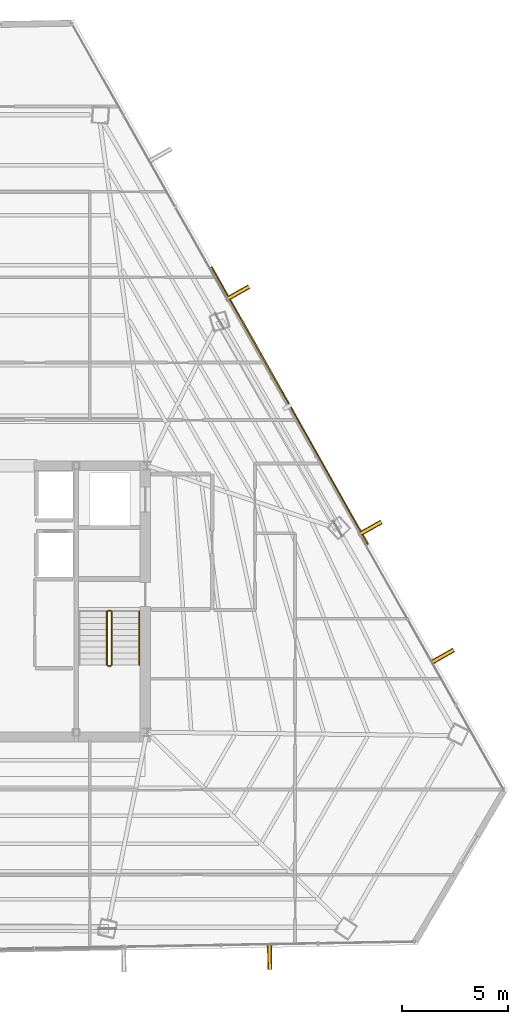
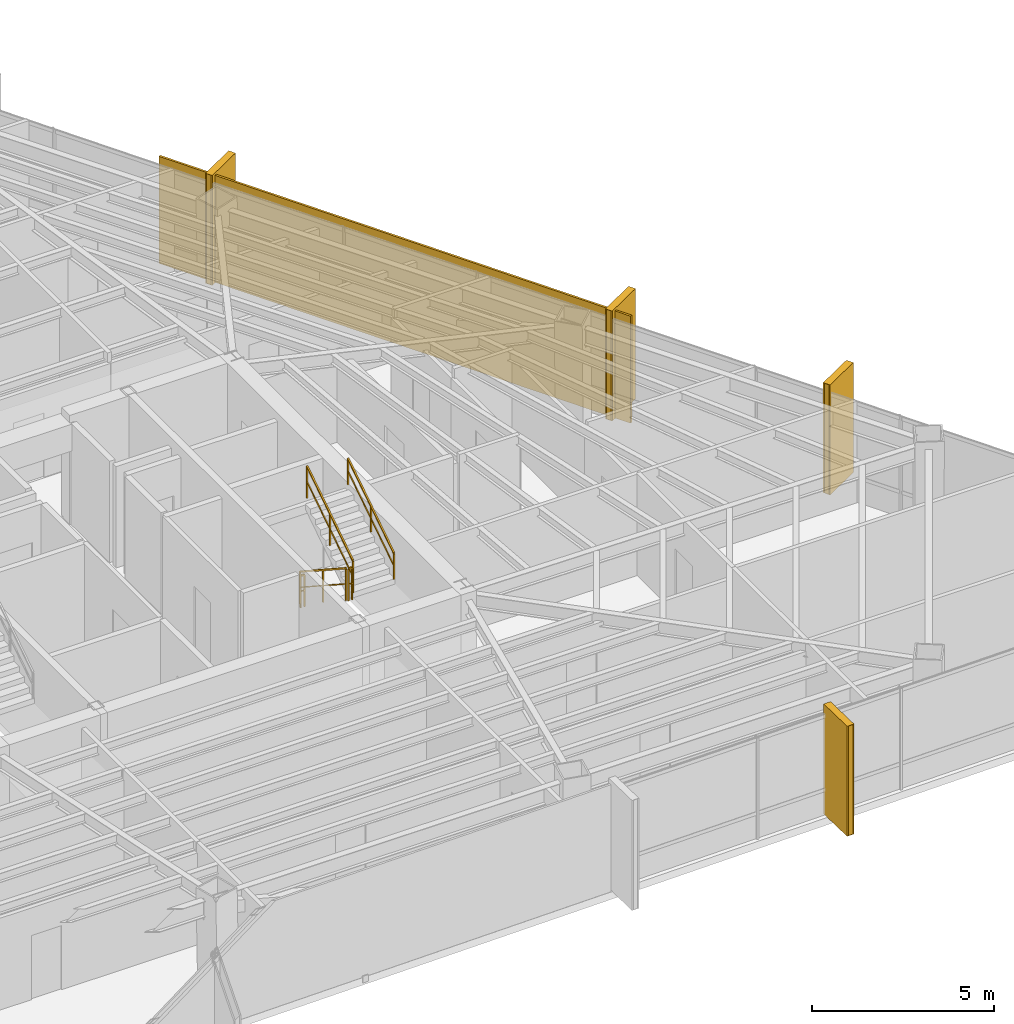
# One storey, part 41 of 42: 5 railings, 5 shading devices, 4 coverings.
"""IFC4 building model written with IfcOpenShell, lengths in metres."""

from ifc_helpers import new_model, si_unit, direction, frame, origin, origin_2d, place, context, subcontext, project, spatial, rectangle, extrude, source, transform, mapped, material, layer, layer_set, type_object, type_shapes, element, save


model = new_model("IFC4")

# Units and contexts
model_context = context("Model", 3, precision=1e-05, world=origin(), true_north=direction((0.0, 1.0)))
body_context = subcontext(model_context, "Body", "Model", "MODEL_VIEW")
ifc_project = project(units=[si_unit("LENGTHUNIT", "METRE"), si_unit("AREAUNIT", "SQUARE_METRE"), si_unit("VOLUMEUNIT", "CUBIC_METRE"), si_unit("PLANEANGLEUNIT", "RADIAN"), si_unit("MASSUNIT", "GRAM", prefix="KILO")], contexts=[model_context])

# Site, building, storey
site_placement = place(None, origin())
site = spatial("IfcSite", under=ifc_project, at=site_placement, CompositionType="ELEMENT")
building_placement = place(site_placement, origin())
building = spatial("IfcBuilding", under=site, at=building_placement, Name="Caelisora Broadcast Tower", CompositionType="ELEMENT")
storey_placement = place(building_placement, frame((0.0, 0.0, 195.0)))
storey = spatial("IfcBuildingStorey", under=building, at=storey_placement, Name="L51", CompositionType="ELEMENT", Elevation=195.0)

# Railings
ifc_material_1 = material(Name="Galvanised Steel Safety Guardrail", Category="steel")
ifc_layer_1 = layer(ifc_material_1, 0.048095703125, Name="Galvanised Steel Safety Guardrail")
ifc_layer_set_1 = layer_set([ifc_layer_1], Name="Galvanised Steel Safety Guardrail")
railing_type_1 = type_object("IfcRailingType", Name="GR-1", PredefinedType="GUARDRAIL", material=ifc_layer_set_1)
railing_1_placement = place(storey_placement, frame((43.610107421875, 23.10009765625, 0.1826171875)))
element("IfcRailing", 1, at=railing_1_placement, inside=storey, type_object=railing_type_1, Name="L51 ST-2 stair guard 1", PredefinedType="GUARDRAIL", context=body_context, shape_type="SweptSolid", body=[
    extrude(rectangle(XDim=0.048095703125, YDim=0.048095703125, at=origin_2d()), frame((0.0, 0.0, 1.076171875), z_axis=(0.0, -0.837786554691, 0.545997883492), x_axis=(1.0, 0.0, 0.0)), (0.0, 0.0, 1.0), 3.008056640625),
    extrude(rectangle(XDim=0.03125, YDim=0.03125, at=origin_2d()), frame((0.0, 0.0, 0.550048828125), z_axis=(0.0, -0.837786554691, 0.545997883492), x_axis=(1.0, 0.0, 0.0)), (0.0, 0.0, 1.0), 3.008056640625),
    extrude(rectangle(XDim=0.0419921875, YDim=0.0419921875, at=origin_2d()), origin(), (0.0, 0.0, 1.0), 1.052001953125),
    extrude(rectangle(XDim=0.0419921875, YDim=0.0419921875, at=origin_2d()), frame((0.0, -1.260009765625, 0.8212890625)), (0.0, 0.0, 1.0), 1.052001953125),
    extrude(rectangle(XDim=0.0419921875, YDim=0.0419921875, at=origin_2d()), frame((0.0, -2.52001953125, 1.642333984375)), (0.0, 0.0, 1.0), 1.052001953125),
])
railing_2_placement = place(storey_placement, frame((43.659912109375, 20.530029296875, 1.824951171875)))
element("IfcRailing", 2, at=railing_2_placement, inside=storey, type_object=railing_type_1, Name="L51 ST-2 stair guard 2", PredefinedType="GUARDRAIL", context=body_context, shape_type="SweptSolid", body=[
    extrude(rectangle(XDim=0.048095703125, YDim=0.048095703125, at=origin_2d()), frame((0.0, 0.0, 1.076171875), z_axis=(1.0, 0.0, 0.0), x_axis=(0.0, 1.0, 0.0)), (0.0, 0.0, 1.0), 0.1201171875),
    extrude(rectangle(XDim=0.03125, YDim=0.03125, at=origin_2d()), frame((0.0, 0.0, 0.550048828125), z_axis=(1.0, 0.0, 0.0), x_axis=(0.0, 1.0, 0.0)), (0.0, 0.0, 1.0), 0.1201171875),
    extrude(rectangle(XDim=0.0419921875, YDim=0.0419921875, at=origin_2d()), origin(), (0.0, 0.0, 1.0), 1.052001953125),
    extrude(rectangle(XDim=0.0419921875, YDim=0.0419921875, at=origin_2d()), frame((0.1201171875, 0.0, 0.0)), (0.0, 0.0, 1.0), 1.052001953125),
])
railing_3_placement = place(storey_placement, frame((43.830078125, 20.580078125, 2.007568359375)))
element("IfcRailing", 3, at=railing_3_placement, inside=storey, type_object=railing_type_1, Name="L51 ST-2 stair guard 3", PredefinedType="GUARDRAIL", context=body_context, shape_type="SweptSolid", body=[
    extrude(rectangle(XDim=0.048095703125, YDim=0.048095703125, at=origin_2d()), frame((0.0, 0.0, 1.076171875), z_axis=(0.0, 0.837786554691, 0.545997883492), x_axis=(-1.0, 0.0, 0.0)), (0.0, 0.0, 1.0), 3.008056640625),
    extrude(rectangle(XDim=0.03125, YDim=0.03125, at=origin_2d()), frame((0.0, 0.0, 0.550048828125), z_axis=(0.0, 0.837786554691, 0.545997883492), x_axis=(-1.0, 0.0, 0.0)), (0.0, 0.0, 1.0), 3.008056640625),
    extrude(rectangle(XDim=0.0419921875, YDim=0.0419921875, at=origin_2d()), origin(), (0.0, 0.0, 1.0), 1.052001953125),
    extrude(rectangle(XDim=0.0419921875, YDim=0.0419921875, at=origin_2d()), frame((0.0, 1.260009765625, 0.8212890625)), (0.0, 0.0, 1.0), 1.052001953125),
    extrude(rectangle(XDim=0.0419921875, YDim=0.0419921875, at=origin_2d()), frame((0.0, 2.52001953125, 1.642333984375)), (0.0, 0.0, 1.0), 1.052001953125),
])
railing_4_placement = place(storey_placement, frame((43.659912109375, 23.14990234375, 0.0)))
element("IfcRailing", 4, at=railing_4_placement, inside=storey, type_object=railing_type_1, Name="L51 ST-2 stair guard 4", PredefinedType="GUARDRAIL", context=body_context, shape_type="SweptSolid", body=[
    extrude(rectangle(XDim=0.048095703125, YDim=0.048095703125, at=origin_2d()), frame((0.0, 0.0, 1.076171875), z_axis=(1.0, 0.0, 0.0), x_axis=(0.0, 1.0, 0.0)), (0.0, 0.0, 1.0), 0.1201171875),
    extrude(rectangle(XDim=0.03125, YDim=0.03125, at=origin_2d()), frame((0.0, 0.0, 0.550048828125), z_axis=(1.0, 0.0, 0.0), x_axis=(0.0, 1.0, 0.0)), (0.0, 0.0, 1.0), 0.1201171875),
    extrude(rectangle(XDim=0.0419921875, YDim=0.0419921875, at=origin_2d()), origin(), (0.0, 0.0, 1.0), 1.052001953125),
    extrude(rectangle(XDim=0.0419921875, YDim=0.0419921875, at=origin_2d()), frame((0.1201171875, 0.0, 0.0)), (0.0, 0.0, 1.0), 1.052001953125),
])
ifc_material_2 = material(Name="Stainless Steel Grade 316 Tubular Handrail", Category="steel")
ifc_layer_2 = layer(ifc_material_2, 0.048095703125, Name="Stainless Steel Grade 316 Tubular Handrail")
ifc_layer_set_2 = layer_set([ifc_layer_2], Name="Stainless Steel Grade 316 Tubular Handrail")
railing_type_2 = type_object("IfcRailingType", Name="HR-1", PredefinedType="HANDRAIL", material=ifc_layer_set_2)
railing_5_placement = place(storey_placement, frame((45.1298828125, 20.580078125, 2.007568359375)))
element("IfcRailing", 5, at=railing_5_placement, inside=storey, type_object=railing_type_2, Name="L51 ST-2 stair handrail 2", PredefinedType="HANDRAIL", context=body_context, shape_type="SweptSolid", body=[
    extrude(rectangle(XDim=0.048095703125, YDim=0.048095703125, at=origin_2d()), frame((0.0, 0.0, 0.8759765625), z_axis=(0.0, 0.837786554691, 0.545997883492), x_axis=(-1.0, 0.0, 0.0)), (0.0, 0.0, 1.0), 3.008056640625),
    extrude(rectangle(XDim=0.03125, YDim=0.03125, at=origin_2d()), frame((0.0, 0.0, 0.449951171875), z_axis=(0.0, 0.837786554691, 0.545997883492), x_axis=(-1.0, 0.0, 0.0)), (0.0, 0.0, 1.0), 3.008056640625),
    extrude(rectangle(XDim=0.0419921875, YDim=0.0419921875, at=origin_2d()), origin(), (0.0, 0.0, 1.0), 0.851806640625),
    extrude(rectangle(XDim=0.0419921875, YDim=0.0419921875, at=origin_2d()), frame((0.0, 1.260009765625, 0.8212890625)), (0.0, 0.0, 1.0), 0.851806640625),
    extrude(rectangle(XDim=0.0419921875, YDim=0.0419921875, at=origin_2d()), frame((0.0, 2.52001953125, 1.642333984375)), (0.0, 0.0, 1.0), 0.851806640625),
])

# Coverings
ifc_material_3 = material(Name="Kiln-Fired Terracotta Spandrel Rainscreen Cladding", Category="ceramic")
ifc_layer_3 = layer(ifc_material_3, 0.044921875, Name="Kiln-Fired Terracotta Spandrel Rainscreen Cladding")
ifc_layer_set_3 = layer_set([ifc_layer_3], Name="Kiln-Fired Terracotta Spandrel Rainscreen Cladding")
covering_type = type_object("IfcCoveringType", Name="CL-1", PredefinedType="CLADDING", material=ifc_layer_set_3)
shared_shape_1 = source(origin(), body_context, "Body", "SweptSolid", [
    extrude(rectangle(XDim=0.219970703125, YDim=1.25, at=origin_2d()), origin(), (0.0, 0.0, 1.0), 3.68994140625),
])
type_shapes(covering_type, [shared_shape_1])
for number, where, z_axis, x_axis, name in (
    (6, (49.7763671875, 38.1484375, -0.02001953125), (0.0, 0.0, 1.0), (0.491055801632, -0.871128118983, 0.0), "L51 vertical solar fin cladding #1-2"),
    (7, (56.040283203125, 27.034912109375, -0.02001953125), (0.0, 0.0, 1.0), (0.491055801632, -0.871128118983, 0.0), "L51 vertical solar fin cladding #1-3"),
    (8, (59.45263671875, 20.98095703125, -0.02001953125), (0.0, 0.0, 1.0), (0.491055801632, -0.871128118983, 0.0), "L51 vertical solar fin cladding #1-4"),
    (9, (51.295654296875, 6.818115234375, -0.02001953125), (0.0, 0.0, 1.0), (-0.999844633908, -0.017626912514, 0.0), "L51 vertical solar fin cladding #2-1"),
):
    element("IfcCovering", number, at=place(storey_placement, frame(where, z_axis=z_axis, x_axis=x_axis)), inside=storey, type_object=covering_type, Name=name, PredefinedType="CLADDING", context=body_context, shape_type="MappedRepresentation", body=[
        mapped(shared_shape_1, transform((0.0, 0.0, 0.0), scale=1.0)),
    ])

# Shading devices
ifc_material_4 = material(Name="Extruded Terracotta Flaring Colonnade Fin", Category="ceramic")
ifc_layer_4 = layer(ifc_material_4, 0.139892578125, Name="Extruded Terracotta Flaring Colonnade Fin")
ifc_layer_set_4 = layer_set([ifc_layer_4], Name="Extruded Terracotta Flaring Colonnade Fin")
shading_device_type_1 = type_object("IfcShadingDeviceType", Name="FN-1", PredefinedType="USERDEFINED", material=ifc_layer_set_4)
shared_shape_2 = source(origin(), body_context, "Body", "SweptSolid", [
    extrude(rectangle(XDim=0.139892578125, YDim=1.25, at=origin_2d()), origin(), (0.0, 0.0, 1.0), 3.669921875),
])
type_shapes(shading_device_type_1, [shared_shape_2])
for number, where, z_axis, x_axis, name in (
    (10, (49.7763671875, 38.1484375, -0.010009765625), (0.0, 0.0, 1.0), (0.491055801632, -0.871128118983, 0.0), "L51 vertical terracotta fin #1-2"),
    (11, (56.040283203125, 27.034912109375, -0.010009765625), (0.0, 0.0, 1.0), (0.491055801632, -0.871128118983, 0.0), "L51 vertical terracotta fin #1-3"),
    (12, (59.45263671875, 20.98095703125, -0.010009765625), (0.0, 0.0, 1.0), (0.491055801632, -0.871128118983, 0.0), "L51 vertical terracotta fin #1-4"),
    (13, (51.295654296875, 6.818115234375, -0.010009765625), (0.0, 0.0, 1.0), (-0.999844633908, -0.017626912514, 0.0), "L51 vertical terracotta fin #2-1"),
):
    element("IfcShadingDevice", number, at=place(storey_placement, frame(where, z_axis=z_axis, x_axis=x_axis)), inside=storey, type_object=shading_device_type_1, Name=name, ObjectType="FIN", PredefinedType="USERDEFINED", context=body_context, shape_type="MappedRepresentation", body=[
        mapped(shared_shape_2, transform((0.0, 0.0, 0.0), scale=1.0)),
    ])
ifc_material_5 = material(Name="Perforated Glazed Terracotta Baguette Solar Screen", Category="ceramic")
ifc_layer_5 = layer(ifc_material_5, 0.06494140625, Name="Perforated Glazed Terracotta Baguette Solar Screen")
ifc_layer_set_5 = layer_set([ifc_layer_5], Name="Perforated Glazed Terracotta Baguette Solar Screen")
shading_device_type_2 = type_object("IfcShadingDeviceType", Name="SS-1", PredefinedType="USERDEFINED", material=ifc_layer_set_5)
shared_shape_3 = source(origin(), body_context, "Body", "SweptSolid", [
    extrude(rectangle(XDim=15.044921875, YDim=0.06494140625, at=origin_2d()), origin(), (0.0, 0.0, 1.0), 3.590087890625),
])
type_shapes(shading_device_type_2, [shared_shape_3])
shading_device_placement = place(storey_placement, frame((52.255126953125, 32.83447265625, 0.0), z_axis=(0.0, 0.0, 1.0), x_axis=(-0.491055801632, 0.871128118983, 0.0)))
element("IfcShadingDevice", 14, at=shading_device_placement, inside=storey, type_object=shading_device_type_2, Name="L51 perforated terracotta solar screen #3", ObjectType="SOLAR SCREEN", PredefinedType="USERDEFINED", context=body_context, shape_type="MappedRepresentation", body=[
    mapped(shared_shape_3, transform((0.0, 0.0, 0.0), scale=1.0)),
])

save(model, "model.ifc")
